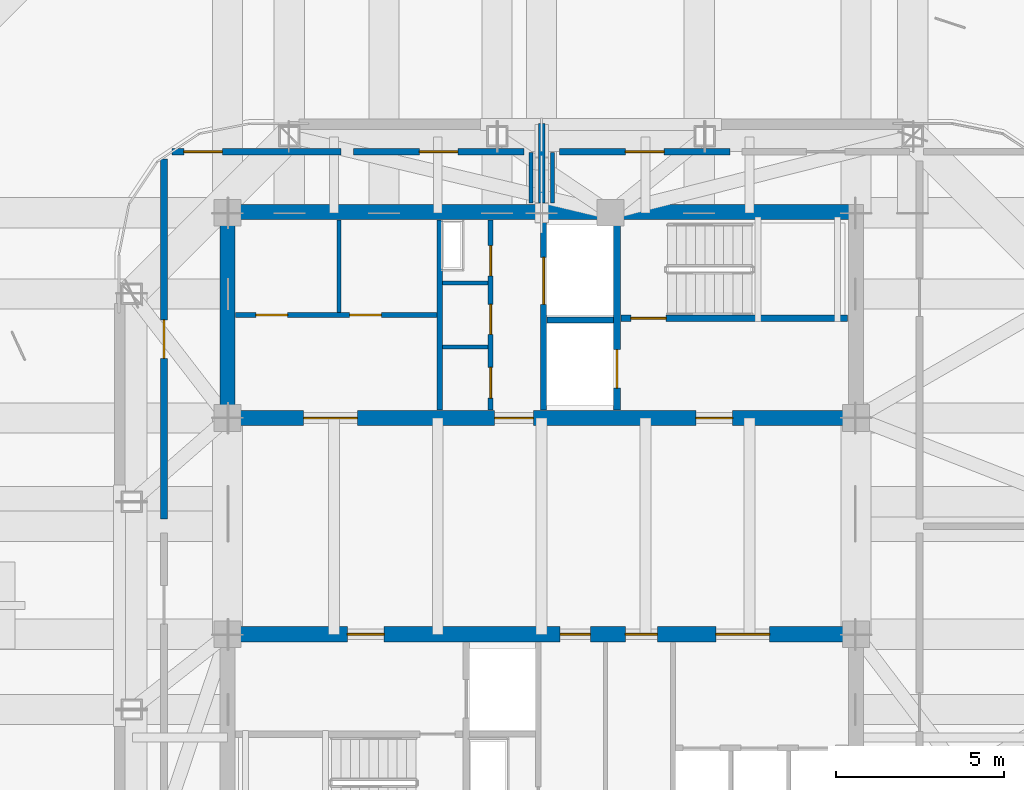
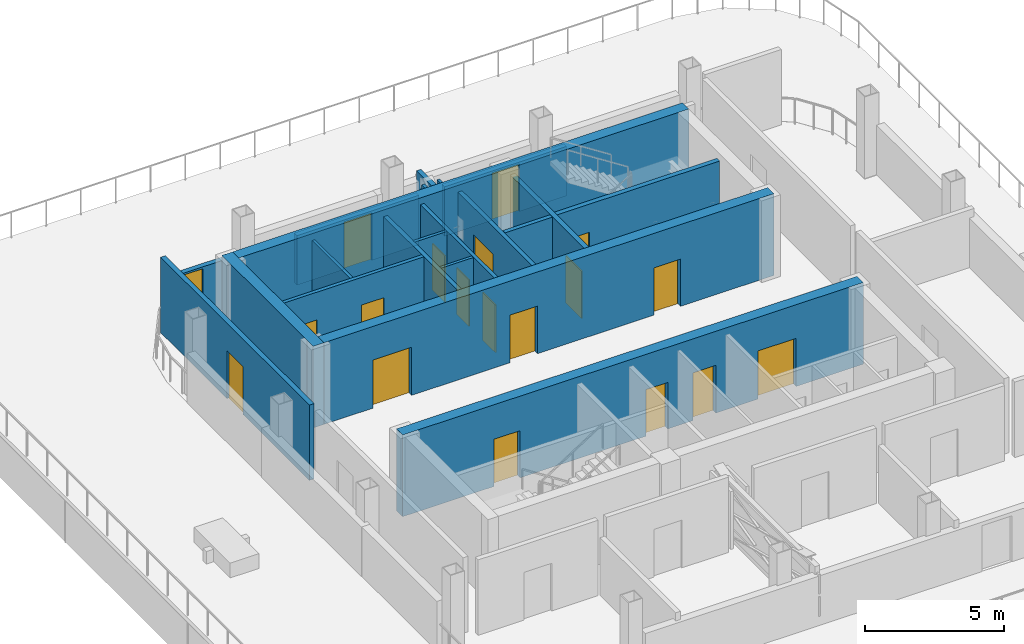
# One storey, part 5 of 10: 21 walls, 19 doors, 19 openings.
"""IFC4 building model written with IfcOpenShell, lengths in metres."""

from ifc_helpers import new_model, si_unit, direction, frame, frame_2d, origin, place, context, subcontext, project, spatial, rectangle, extrude, material, layer, layer_set, type_object, element, fill, save


model = new_model("IFC4")

# Units and contexts
model_context = context("Model", 3, precision=1e-05, world=origin(), true_north=direction((0.0, 1.0)))
body_context = subcontext(model_context, "Body", "Model", "MODEL_VIEW")
ifc_project = project(units=[si_unit("LENGTHUNIT", "METRE"), si_unit("AREAUNIT", "SQUARE_METRE"), si_unit("VOLUMEUNIT", "CUBIC_METRE"), si_unit("PLANEANGLEUNIT", "RADIAN"), si_unit("MASSUNIT", "GRAM", prefix="KILO")], contexts=[model_context])

# Site, building, storey
site_placement = place(None, origin())
site = spatial("IfcSite", under=ifc_project, at=site_placement, CompositionType="ELEMENT")
building_placement = place(site_placement, origin())
building = spatial("IfcBuilding", under=site, at=building_placement, Name="Qhalaya Broadcast Tower", CompositionType="ELEMENT")
storey_placement = place(building_placement, frame((0.0, 0.0, 231.300048828125)))
storey = spatial("IfcBuildingStorey", under=building, at=storey_placement, Name="L68", CompositionType="ELEMENT", Elevation=231.300048828125)

# Wall, openings, doors
ifc_material_1 = material(Name="Gypsum Acoustic Partition")
ifc_layer_1 = layer(ifc_material_1, 0.14990234375, Name="Gypsum Acoustic Partition")
ifc_layer_set_1 = layer_set([ifc_layer_1], Name="Gypsum Acoustic Partition")
wall_type_1 = type_object("IfcWallType", Name="Corridor & Tenancy Acoustic Partition 150", PredefinedType="PARTITIONING", material=ifc_layer_set_1)
wall_1_placement = place(storey_placement, frame((-1.52001953125, 4.070068359375, 0.0), z_axis=(0.0, 0.0, 1.0), x_axis=(0.0, 1.0, 0.0)))
wall_1 = element("IfcWall", 1, at=wall_1_placement, inside=storey, type_object=wall_type_1, Name="L68 Partition Wall NCW-SVL", PredefinedType="PARTITIONING", context=body_context, shape_type="SweptSolid", body=[
    extrude(rectangle(XDim=5.659912109375, YDim=0.14990234375, at=frame_2d((2.830078125, 0.0))), origin(), (0.0, 0.0, 1.0), 3.320068359375),
])
opening_1_placement = place(wall_1_placement, frame((4.0, 0.0, 0.0)))
opening_1 = element("IfcOpeningElement", 2, at=opening_1_placement, cuts=wall_1, Name="Opening D06", PredefinedType="OPENING", context=body_context, shape_type="SweptSolid", body=[
    extrude(rectangle(XDim=0.89990234375, YDim=2.050048828125, at=frame_2d((0.449951171875, 1.02490234375))), frame((0.0, 0.0869140625, 0.0), z_axis=(0.0, -1.0, 0.0), x_axis=(1.0, 0.0, 0.0)), (0.0, 0.0, 1.0), 0.173828125),
])
opening_2_placement = place(wall_1_placement, frame((2.25, 0.0, 0.0)))
opening_2 = element("IfcOpeningElement", 3, at=opening_2_placement, cuts=wall_1, Name="Opening D06", PredefinedType="OPENING", context=body_context, shape_type="SweptSolid", body=[
    extrude(rectangle(XDim=0.89990234375, YDim=2.050048828125, at=frame_2d((0.449951171875, 1.02490234375))), frame((0.0, 0.0869140625, 0.0), z_axis=(0.0, -1.0, 0.0), x_axis=(1.0, 0.0, 0.0)), (0.0, 0.0, 1.0), 0.173828125),
])
opening_3_placement = place(wall_1_placement, frame((0.35009765625, 0.0, 0.0)))
opening_3 = element("IfcOpeningElement", 4, at=opening_3_placement, cuts=wall_1, Name="Opening D12", PredefinedType="OPENING", context=body_context, shape_type="SweptSolid", body=[
    extrude(rectangle(XDim=0.919921875, YDim=2.10009765625, at=frame_2d((0.4599609375, 1.050048828125))), frame((0.0, 0.0869140625, 0.0), z_axis=(0.0, -1.0, 0.0), x_axis=(1.0, 0.0, 0.0)), (0.0, 0.0, 1.0), 0.173828125),
])
ifc_material_2 = material(Name="Timber Veneer Acoustic Door", Category="wood")
door_type_1 = type_object("IfcDoorType", Name="Accessible WC & Restroom Door D12", OperationType="NOTDEFINED", PredefinedType="DOOR", material=ifc_material_2)
door_1_placement = place(opening_3_placement, origin())
door_1 = element("IfcDoor", 5, at=door_1_placement, inside=storey, type_object=door_type_1, Name="L68 Door D-NCWC", OperationType="SINGLE_SWING_RIGHT", OverallHeight=2.10009765625, OverallWidth=0.919921875, PredefinedType="DOOR", context=body_context, shape_type="SweptSolid", body=[
    extrude(rectangle(XDim=0.919921875, YDim=2.10009765625, at=frame_2d((0.4599609375, 1.050048828125))), frame((0.0, 0.02490234375, 0.0), z_axis=(0.0, -1.0, 0.0), x_axis=(1.0, 0.0, 0.0)), (0.0, 0.0, 1.0), 0.050048828125),
])
fill(opening_3, door_1)
ifc_material_3 = material(Name="Fire-Rated Steel Door", Category="steel")
door_type_2 = type_object("IfcDoorType", Name="Riser & Electrical Shaft Access Door D06", OperationType="NOTDEFINED", PredefinedType="DOOR", material=ifc_material_3)
door_2_placement = place(opening_1_placement, origin())
door_2 = element("IfcDoor", 6, at=door_2_placement, inside=storey, type_object=door_type_2, Name="L68 Riser Shaft Access Door D-NRSR", OperationType="SINGLE_SWING_RIGHT", OverallHeight=2.050048828125, OverallWidth=0.89990234375, PredefinedType="DOOR", context=body_context, shape_type="SweptSolid", body=[
    extrude(rectangle(XDim=0.89990234375, YDim=2.050048828125, at=frame_2d((0.449951171875, 1.02490234375))), frame((0.0, 0.02490234375, 0.0), z_axis=(0.0, -1.0, 0.0), x_axis=(1.0, 0.0, 0.0)), (0.0, 0.0, 1.0), 0.050048828125),
])
fill(opening_1, door_2)
door_3_placement = place(opening_2_placement, origin())
door_3 = element("IfcDoor", 7, at=door_3_placement, inside=storey, type_object=door_type_2, Name="L68 Door D-NITR", OperationType="SINGLE_SWING_LEFT", OverallHeight=2.050048828125, OverallWidth=0.89990234375, PredefinedType="DOOR", context=body_context, shape_type="SweptSolid", body=[
    extrude(rectangle(XDim=0.89990234375, YDim=2.050048828125, at=frame_2d((0.449951171875, 1.02490234375))), frame((0.0, 0.02490234375, 0.0), z_axis=(0.0, -1.0, 0.0), x_axis=(1.0, 0.0, 0.0)), (0.0, 0.0, 1.0), 0.050048828125),
])
fill(opening_2, door_3)

wall_2_placement = place(storey_placement, frame((-9.1298828125, 6.89990234375, 0.0), z_axis=(0.0, 0.0, 1.0), x_axis=(1.0, 0.0, 0.0)))
wall_2 = element("IfcWall", 8, at=wall_2_placement, inside=storey, type_object=wall_type_1, Name="L68 Partition Wall NCW-REC1", PredefinedType="PARTITIONING", context=body_context, shape_type="SweptSolid", body=[
    extrude(rectangle(XDim=6.009765625, YDim=0.14990234375, at=frame_2d((3.0048828125, 0.0))), origin(), (0.0, 0.0, 1.0), 3.320068359375),
])
opening_4_placement = place(wall_2_placement, frame((0.60009765625, 0.0, 0.0)))
opening_4 = element("IfcOpeningElement", 9, at=opening_4_placement, cuts=wall_2, Name="Opening D10", PredefinedType="OPENING", context=body_context, shape_type="SweptSolid", body=[
    extrude(rectangle(XDim=0.949951171875, YDim=2.10009765625, at=frame_2d((0.47509765625, 1.050048828125))), frame((0.0, 0.0869140625, 0.0), z_axis=(0.0, -1.0, 0.0), x_axis=(1.0, 0.0, 0.0)), (0.0, 0.0, 1.0), 0.173828125),
])
opening_5_placement = place(wall_2_placement, frame((3.39990234375, 0.0, 0.0)))
opening_5 = element("IfcOpeningElement", 10, at=opening_5_placement, cuts=wall_2, Name="Opening D10", PredefinedType="OPENING", context=body_context, shape_type="SweptSolid", body=[
    extrude(rectangle(XDim=0.949951171875, YDim=2.10009765625, at=frame_2d((0.47509765625, 1.050048828125))), frame((0.0, 0.0869140625, 0.0), z_axis=(0.0, -1.0, 0.0), x_axis=(1.0, 0.0, 0.0)), (0.0, 0.0, 1.0), 0.173828125),
])
door_type_3 = type_object("IfcDoorType", Name="Cellular Office & Edit Booth Door D10", OperationType="NOTDEFINED", PredefinedType="DOOR", material=ifc_material_2)
door_4_placement = place(opening_4_placement, origin())
door_4 = element("IfcDoor", 11, at=door_4_placement, inside=storey, type_object=door_type_3, Name="L68 Door D-NREC1", OperationType="SINGLE_SWING_LEFT", OverallHeight=2.10009765625, OverallWidth=0.949951171875, PredefinedType="DOOR", context=body_context, shape_type="SweptSolid", body=[
    extrude(rectangle(XDim=0.949951171875, YDim=2.10009765625, at=frame_2d((0.47509765625, 1.050048828125))), frame((0.0, 0.02490234375, 0.0), z_axis=(0.0, -1.0, 0.0), x_axis=(1.0, 0.0, 0.0)), (0.0, 0.0, 1.0), 0.050048828125),
])
fill(opening_4, door_4)
door_5_placement = place(opening_5_placement, origin())
door_5 = element("IfcDoor", 12, at=door_5_placement, inside=storey, type_object=door_type_3, Name="L68 Door D-NREC2", OperationType="SINGLE_SWING_RIGHT", OverallHeight=2.10009765625, OverallWidth=0.949951171875, PredefinedType="DOOR", context=body_context, shape_type="SweptSolid", body=[
    extrude(rectangle(XDim=0.949951171875, YDim=2.10009765625, at=frame_2d((0.47509765625, 1.050048828125))), frame((0.0, 0.02490234375, 0.0), z_axis=(0.0, -1.0, 0.0), x_axis=(1.0, 0.0, 0.0)), (0.0, 0.0, 1.0), 0.050048828125),
])
fill(opening_5, door_5)

# Wall
ifc_layer_2 = layer(ifc_material_1, 0.199951171875, Name="Gypsum Acoustic Partition")
ifc_layer_set_2 = layer_set([ifc_layer_2], Name="Gypsum Acoustic Partition")
wall_type_2 = type_object("IfcWallType", Name="Firefighting Lobby & Stair Enclosure Wall 200", PredefinedType="PARTITIONING", material=ifc_layer_set_2)
wall_3_placement = place(storey_placement, frame((0.0, 10.239990234375, 0.0), z_axis=(0.0, 0.0, 1.0), x_axis=(0.0, 1.0, 0.0)))
element("IfcWall", 13, at=wall_3_placement, inside=storey, type_object=wall_type_2, Name="L68 Partition Wall W-OBN", PredefinedType="PARTITIONING", context=body_context, shape_type="SweptSolid", body=[
    extrude(rectangle(XDim=2.3701171875, YDim=0.199951171875, at=frame_2d((1.18505859375, 0.0))), origin(), (0.0, 0.0, 1.0), 2.537841796875),
])

# Wall, opening, door
wall_4_placement = place(storey_placement, frame((-5.97998046875, 11.77001953125, 0.0), z_axis=(0.0, 0.0, 1.0), x_axis=(-1.0, 0.0, 0.0)))
wall_4 = element("IfcWall", 14, at=wall_4_placement, inside=storey, type_object=wall_type_2, Name="L68 Partition Wall W-PCN0", PredefinedType="PARTITIONING", context=body_context, shape_type="SweptSolid", body=[
    extrude(rectangle(XDim=5.045654296875, YDim=0.199951171875, at=frame_2d((2.52294921875, 0.0))), origin(), (0.0, 0.0, 1.0), 2.181884765625),
])
opening_6_placement = place(wall_4_placement, frame((3.5458984375, 0.0, 0.0)))
opening_6 = element("IfcOpeningElement", 15, at=opening_6_placement, cuts=wall_4, Name="Opening D05", PredefinedType="OPENING", context=body_context, shape_type="SweptSolid", body=[
    extrude(rectangle(XDim=1.14990234375, YDim=2.10009765625, at=frame_2d((0.574951171875, 1.050048828125))), frame((0.0, 0.112060546875, 0.0), z_axis=(0.0, -1.0, 0.0), x_axis=(1.0, 0.0, 0.0)), (0.0, 0.0, 1.0), 0.223876953125),
])
door_type_4 = type_object("IfcDoorType", Name="Refuge & Plant Room Fire Door D05", OperationType="NOTDEFINED", PredefinedType="DOOR", material=ifc_material_3)
door_6_placement = place(opening_6_placement, origin())
door_6 = element("IfcDoor", 16, at=door_6_placement, inside=storey, type_object=door_type_4, Name="L68 Door D-PCN0", OperationType="SINGLE_SWING_LEFT", OverallHeight=2.10009765625, OverallWidth=1.14990234375, PredefinedType="DOOR", context=body_context, shape_type="SweptSolid", body=[
    extrude(rectangle(XDim=1.14990234375, YDim=2.10009765625, at=frame_2d((0.574951171875, 1.050048828125))), frame((0.0, 0.02490234375, 0.0), z_axis=(0.0, -1.0, 0.0), x_axis=(1.0, 0.0, 0.0)), (0.0, 0.0, 1.0), 0.050048828125),
])
fill(opening_6, door_6)

wall_5_placement = place(storey_placement, frame((-0.530029296875, 11.77001953125, 0.0), z_axis=(0.0, 0.0, 1.0), x_axis=(-1.0, 0.0, 0.0)))
wall_5 = element("IfcWall", 17, at=wall_5_placement, inside=storey, type_object=wall_type_2, Name="L68 Partition Wall W-PCN1", PredefinedType="PARTITIONING", context=body_context, shape_type="SweptSolid", body=[
    extrude(rectangle(XDim=5.090087890625, YDim=0.199951171875, at=frame_2d((2.544921875, 0.0))), origin(), (0.0, 0.0, 1.0), 2.181884765625),
])
opening_7_placement = place(wall_5_placement, frame((1.969970703125, 0.0, 0.0)))
opening_7 = element("IfcOpeningElement", 18, at=opening_7_placement, cuts=wall_5, Name="Opening D05", PredefinedType="OPENING", context=body_context, shape_type="SweptSolid", body=[
    extrude(rectangle(XDim=1.14990234375, YDim=2.10009765625, at=frame_2d((0.574951171875, 1.050048828125))), frame((0.0, 0.112060546875, 0.0), z_axis=(0.0, -1.0, 0.0), x_axis=(1.0, 0.0, 0.0)), (0.0, 0.0, 1.0), 0.223876953125),
])
door_7_placement = place(opening_7_placement, origin())
door_7 = element("IfcDoor", 19, at=door_7_placement, inside=storey, type_object=door_type_4, Name="L68 Door D-PCN1", OperationType="SINGLE_SWING_LEFT", OverallHeight=2.10009765625, OverallWidth=1.14990234375, PredefinedType="DOOR", context=body_context, shape_type="SweptSolid", body=[
    extrude(rectangle(XDim=1.14990234375, YDim=2.10009765625, at=frame_2d((0.574951171875, 1.050048828125))), frame((0.0, 0.02490234375, 0.0), z_axis=(0.0, -1.0, 0.0), x_axis=(1.0, 0.0, 0.0)), (0.0, 0.0, 1.0), 0.050048828125),
])
fill(opening_7, door_7)

wall_6_placement = place(storey_placement, frame((5.6201171875, 11.77001953125, 0.0), z_axis=(0.0, 0.0, 1.0), x_axis=(-1.0, 0.0, 0.0)))
wall_6 = element("IfcWall", 20, at=wall_6_placement, inside=storey, type_object=wall_type_2, Name="L68 Partition Wall W-PCN2", PredefinedType="PARTITIONING", context=body_context, shape_type="SweptSolid", body=[
    extrude(rectangle(XDim=5.090087890625, YDim=0.199951171875, at=frame_2d((2.544921875, 0.0))), origin(), (0.0, 0.0, 1.0), 2.181884765625),
])
opening_8_placement = place(wall_6_placement, frame((1.969970703125, 0.0, 0.0)))
opening_8 = element("IfcOpeningElement", 21, at=opening_8_placement, cuts=wall_6, Name="Opening D05", PredefinedType="OPENING", context=body_context, shape_type="SweptSolid", body=[
    extrude(rectangle(XDim=1.14990234375, YDim=2.10009765625, at=frame_2d((0.574951171875, 1.050048828125))), frame((0.0, 0.112060546875, 0.0), z_axis=(0.0, -1.0, 0.0), x_axis=(1.0, 0.0, 0.0)), (0.0, 0.0, 1.0), 0.223876953125),
])
door_8_placement = place(opening_8_placement, origin())
door_8 = element("IfcDoor", 22, at=door_8_placement, inside=storey, type_object=door_type_4, Name="L68 Door D-PCN2", OperationType="SINGLE_SWING_LEFT", OverallHeight=2.10009765625, OverallWidth=1.14990234375, PredefinedType="DOOR", context=body_context, shape_type="SweptSolid", body=[
    extrude(rectangle(XDim=1.14990234375, YDim=2.10009765625, at=frame_2d((0.574951171875, 1.050048828125))), frame((0.0, 0.02490234375, 0.0), z_axis=(0.0, -1.0, 0.0), x_axis=(1.0, 0.0, 0.0)), (0.0, 0.0, 1.0), 0.050048828125),
])
fill(opening_8, door_8)

wall_7_placement = place(storey_placement, frame((-11.27001953125, 11.550048828125, 0.0), z_axis=(0.0, 0.0, 1.0), x_axis=(0.0, -1.0, 0.0)))
wall_7 = element("IfcWall", 23, at=wall_7_placement, inside=storey, type_object=wall_type_2, Name="L68 Partition Wall W-PCW2", PredefinedType="PARTITIONING", context=body_context, shape_type="SweptSolid", body=[
    extrude(rectangle(XDim=10.739990234375, YDim=0.199951171875, at=frame_2d((5.3701171875, 0.0))), origin(), (0.0, 0.0, 1.0), 3.320068359375),
])
opening_9_placement = place(wall_7_placement, frame((4.794921875, 0.0, 0.0)))
opening_9 = element("IfcOpeningElement", 24, at=opening_9_placement, cuts=wall_7, Name="Opening D05", PredefinedType="OPENING", context=body_context, shape_type="SweptSolid", body=[
    extrude(rectangle(XDim=1.14990234375, YDim=2.10009765625, at=frame_2d((0.574951171875, 1.050048828125))), frame((0.0, 0.112060546875, 0.0), z_axis=(0.0, -1.0, 0.0), x_axis=(1.0, 0.0, 0.0)), (0.0, 0.0, 1.0), 0.223876953125),
])
door_9_placement = place(opening_9_placement, origin())
door_9 = element("IfcDoor", 25, at=door_9_placement, inside=storey, type_object=door_type_4, Name="L68 Door D-PCW2", OperationType="SINGLE_SWING_RIGHT", OverallHeight=2.10009765625, OverallWidth=1.14990234375, PredefinedType="DOOR", context=body_context, shape_type="SweptSolid", body=[
    extrude(rectangle(XDim=1.14990234375, YDim=2.10009765625, at=frame_2d((0.574951171875, 1.050048828125))), frame((0.0, 0.02490234375, 0.0), z_axis=(0.0, -1.0, 0.0), x_axis=(1.0, 0.0, 0.0)), (0.0, 0.0, 1.0), 0.050048828125),
])
fill(opening_9, door_9)

ifc_material_4 = material(Name="Concrete C50/60", Category="concrete")
ifc_layer_3 = layer(ifc_material_4, 0.199951171875, Name="Concrete C50/60")
ifc_layer_set_3 = layer_set([ifc_layer_3], Name="Concrete C50/60")
wall_type_3 = type_object("IfcWallType", Name="Load-Bearing Stair Shaft Wall 200", PredefinedType="SHEAR", material=ifc_layer_set_3)
wall_8_placement = place(storey_placement, frame((2.360107421875, 6.804931640625, 0.0), z_axis=(0.0, 0.0, 1.0), x_axis=(1.0, 0.0, 0.0)))
wall_8 = element("IfcWall", 26, at=wall_8_placement, inside=storey, type_object=wall_type_3, Name="L68 Stair Core Shear Wall NCW-ST1", PredefinedType="SHEAR", context=body_context, shape_type="SweptSolid", body=[
    extrude(rectangle(XDim=6.769775390625, YDim=0.199951171875, at=frame_2d((3.384765625, 0.0))), origin(), (0.0, 0.0, 1.0), 3.320068359375),
])
opening_10_placement = place(wall_8_placement, frame((0.300048828125, 0.0, 0.0)))
opening_10 = element("IfcOpeningElement", 27, at=opening_10_placement, cuts=wall_8, Name="Opening D03", PredefinedType="OPENING", context=body_context, shape_type="SweptSolid", body=[
    extrude(rectangle(XDim=1.050048828125, YDim=2.080078125, at=frame_2d((0.52490234375, 1.0400390625))), frame((0.0, 0.112060546875, 0.0), z_axis=(0.0, -1.0, 0.0), x_axis=(1.0, 0.0, 0.0)), (0.0, 0.0, 1.0), 0.223876953125),
])
door_type_5 = type_object("IfcDoorType", Name="Core Stair Protected Fire Door D03", OperationType="NOTDEFINED", PredefinedType="DOOR", material=ifc_material_3)
door_10_placement = place(opening_10_placement, origin())
door_10 = element("IfcDoor", 28, at=door_10_placement, inside=storey, type_object=door_type_5, Name="L68 Door D-NST1", OperationType="SINGLE_SWING_LEFT", OverallHeight=2.080078125, OverallWidth=1.050048828125, PredefinedType="DOOR", context=body_context, shape_type="SweptSolid", body=[
    extrude(rectangle(XDim=1.050048828125, YDim=2.080078125, at=frame_2d((0.52490234375, 1.0400390625))), frame((0.0, 0.02490234375, 0.0), z_axis=(0.0, -1.0, 0.0), x_axis=(1.0, 0.0, 0.0)), (0.0, 0.0, 1.0), 0.050048828125),
])
fill(opening_10, door_10)

wall_9_placement = place(storey_placement, frame((2.25, 4.070068359375, 0.0), z_axis=(0.0, 0.0, 1.0), x_axis=(0.0, 1.0, 0.0)))
wall_9 = element("IfcWall", 29, at=wall_9_placement, inside=storey, type_object=wall_type_3, Name="L68 Stair Core Shear Wall NCW-FF", PredefinedType="SHEAR", context=body_context, shape_type="SweptSolid", body=[
    extrude(rectangle(XDim=5.659912109375, YDim=0.199951171875, at=frame_2d((2.830078125, 0.0))), origin(), (0.0, 0.0, 1.0), 3.320068359375),
])
opening_11_placement = place(wall_9_placement, frame((0.64990234375, 0.0, 0.0)))
opening_11 = element("IfcOpeningElement", 30, at=opening_11_placement, cuts=wall_9, Name="Opening LD2", PredefinedType="OPENING", context=body_context, shape_type="SweptSolid", body=[
    extrude(rectangle(XDim=1.14990234375, YDim=2.080078125, at=frame_2d((0.574951171875, 1.0400390625))), frame((0.0, 0.112060546875, 0.0), z_axis=(0.0, -1.0, 0.0), x_axis=(1.0, 0.0, 0.0)), (0.0, 0.0, 1.0), 0.223876953125),
])
ifc_material_5 = material(Name="Brushed Stainless Steel Lift Door", Category="steel")
door_type_6 = type_object("IfcDoorType", Name="Firefighting Lift Sliding Landing Door LD2", OperationType="DOUBLE_DOOR_SLIDING", PredefinedType="DOOR", material=ifc_material_5)
door_11_placement = place(opening_11_placement, origin())
door_11 = element("IfcDoor", 31, at=door_11_placement, inside=storey, type_object=door_type_6, Name="L68 Door LD-FF1", OperationType="DOUBLE_DOOR_SLIDING", OverallHeight=2.080078125, OverallWidth=1.14990234375, PredefinedType="DOOR", context=body_context, shape_type="SweptSolid", body=[
    extrude(rectangle(XDim=1.14990234375, YDim=2.080078125, at=frame_2d((0.574951171875, 1.0400390625))), frame((0.0, 0.02490234375, 0.0), z_axis=(0.0, -1.0, 0.0), x_axis=(1.0, 0.0, 0.0)), (0.0, 0.0, 1.0), 0.050048828125),
])
fill(opening_11, door_11)

# Walls
ifc_layer_4 = layer(ifc_material_1, 0.1201171875, Name="Gypsum Acoustic Partition")
ifc_layer_set_4 = layer_set([ifc_layer_4], Name="Gypsum Acoustic Partition")
wall_type_4 = type_object("IfcWallType", Name="Office, Booth & Sanitary Partition 120", PredefinedType="PARTITIONING", material=ifc_layer_set_4)
for number, where, z_axis, x_axis, name in (
    (32, (-2.9599609375, 5.949951171875, 0.0), (0.0, 0.0, 1.0), (1.0, 0.0, 0.0), "L68 Partition Wall NCW-VB1"),
    (33, (-2.9599609375, 7.85009765625, 0.0), (0.0, 0.0, 1.0), (1.0, 0.0, 0.0), "L68 Partition Wall NCW-VB2"),
):
    element("IfcWall", number, at=place(storey_placement, frame(where, z_axis=z_axis, x_axis=x_axis)), inside=storey, type_object=wall_type_4, Name=name, PredefinedType="PARTITIONING", context=body_context, shape_type="SweptSolid", body=[
        extrude(rectangle(XDim=1.35986328125, YDim=0.1201171875, at=frame_2d((0.679931640625, 0.0))), origin(), (0.0, 0.0, 1.0), 3.320068359375),
    ])
wall_10_placement = place(storey_placement, frame((-6.050048828125, 6.97998046875, 0.0), z_axis=(0.0, 0.0, 1.0), x_axis=(0.0, 1.0, 0.0)))
element("IfcWall", 34, at=wall_10_placement, inside=storey, type_object=wall_type_4, Name="L68 Partition Wall NCW-REC2", PredefinedType="PARTITIONING", context=body_context, shape_type="SweptSolid", body=[
    extrude(rectangle(XDim=2.75, YDim=0.1201171875, at=frame_2d((1.375, 0.0))), origin(), (0.0, 0.0, 1.0), 3.320068359375),
])
for number, where, z_axis, x_axis, name in (
    (35, (-0.320068359375, 10.239990234375, 0.0), (0.0, 0.0, 1.0), (0.0, 1.0, 0.0), "L68 Partition Wall W-OBNCW"),
    (36, (0.320068359375, 10.239990234375, 0.0), (0.0, 0.0, 1.0), (0.0, 1.0, 0.0), "L68 Partition Wall W-OBNCE"),
):
    element("IfcWall", number, at=place(storey_placement, frame(where, z_axis=z_axis, x_axis=x_axis)), inside=storey, type_object=wall_type_4, Name=name, PredefinedType="PARTITIONING", context=body_context, shape_type="SweptSolid", body=[
        extrude(rectangle(XDim=1.510009765625, YDim=0.1201171875, at=frame_2d((0.7548828125, 0.0))), origin(), (0.0, 0.0, 1.0), 2.537841796875),
    ])

# Wall, opening, door
ifc_layer_5 = layer(ifc_material_1, 0.175048828125, Name="Gypsum Acoustic Partition")
ifc_layer_set_5 = layer_set([ifc_layer_5], Name="Gypsum Acoustic Partition")
wall_type_5 = type_object("IfcWallType", Name="Shaft & Riser Fire Partition 175", PredefinedType="PARTITIONING", material=ifc_layer_set_5)
wall_11_placement = place(storey_placement, frame((0.06005859375, 4.070068359375, 0.0), z_axis=(0.0, 0.0, 1.0), x_axis=(0.0, 1.0, 0.0)))
wall_11 = element("IfcWall", 37, at=wall_11_placement, inside=storey, type_object=wall_type_5, Name="L68 Partition Wall NCW-SVW", PredefinedType="PARTITIONING", context=body_context, shape_type="SweptSolid", body=[
    extrude(rectangle(XDim=5.659912109375, YDim=0.175048828125, at=frame_2d((2.830078125, 0.0))), origin(), (0.0, 0.0, 1.0), 3.320068359375),
])
opening_12_placement = place(wall_11_placement, frame((3.14990234375, 0.0, 0.0)))
opening_12 = element("IfcOpeningElement", 38, at=opening_12_placement, cuts=wall_11, Name="Opening LD3", PredefinedType="OPENING", context=body_context, shape_type="SweptSolid", body=[
    extrude(rectangle(XDim=1.39990234375, YDim=2.1201171875, at=frame_2d((0.699951171875, 1.06005859375))), frame((0.0, 0.099609375, 0.0), z_axis=(0.0, -1.0, 0.0), x_axis=(1.0, 0.0, 0.0)), (0.0, 0.0, 1.0), 0.198974609375),
])
door_type_7 = type_object("IfcDoorType", Name="Service Lift Wide Sliding Landing Door LD3", OperationType="DOUBLE_DOOR_SLIDING", PredefinedType="DOOR", material=ifc_material_5)
door_12_placement = place(opening_12_placement, origin())
door_12 = element("IfcDoor", 39, at=door_12_placement, inside=storey, type_object=door_type_7, Name="L68 Door LD-SV1", OperationType="DOUBLE_DOOR_SLIDING", OverallHeight=2.1201171875, OverallWidth=1.39990234375, PredefinedType="DOOR", context=body_context, shape_type="SweptSolid", body=[
    extrude(rectangle(XDim=1.39990234375, YDim=2.1201171875, at=frame_2d((0.699951171875, 1.06005859375))), frame((0.0, 0.02490234375, 0.0), z_axis=(0.0, -1.0, 0.0), x_axis=(1.0, 0.0, 0.0)), (0.0, 0.0, 1.0), 0.050048828125),
])
fill(opening_12, door_12)

# Walls
wall_12_placement = place(storey_placement, frame((0.159912109375, 6.75, 0.0), z_axis=(0.0, 0.0, 1.0), x_axis=(1.0, 0.0, 0.0)))
element("IfcWall", 40, at=wall_12_placement, inside=storey, type_object=wall_type_5, Name="L68 Partition Wall NCW-SVM", PredefinedType="PARTITIONING", context=body_context, shape_type="SweptSolid", body=[
    extrude(rectangle(XDim=1.97998046875, YDim=0.175048828125, at=frame_2d((0.989990234375, 0.0))), origin(), (0.0, 0.0, 1.0), 3.320068359375),
])
wall_13_placement = place(storey_placement, frame((-3.0400390625, 4.070068359375, 0.0), z_axis=(0.0, 0.0, 1.0), x_axis=(0.0, 1.0, 0.0)))
element("IfcWall", 41, at=wall_13_placement, inside=storey, type_object=wall_type_5, Name="L68 Partition Wall NCW-VRW", PredefinedType="PARTITIONING", context=body_context, shape_type="SweptSolid", body=[
    extrude(rectangle(XDim=5.659912109375, YDim=0.175048828125, at=frame_2d((2.830078125, 0.0))), origin(), (0.0, 0.0, 1.0), 3.320068359375),
])
ifc_layer_6 = layer(ifc_material_4, 0.449951171875, Name="Concrete C50/60")
ifc_layer_set_6 = layer_set([ifc_layer_6], Name="Concrete C50/60")
wall_type_6 = type_object("IfcWallType", Name="Upper Split-Core Shear Wall 450", PredefinedType="SHEAR", material=ifc_layer_set_6)
wall_14_placement = place(storey_placement, frame((-9.60009765625, 9.97509765625, 0.0), z_axis=(0.0, 0.0, 1.0), x_axis=(1.0, 0.0, 0.0)))
element("IfcWall", 42, at=wall_14_placement, inside=storey, type_object=wall_type_6, Name="L68 Split-Core Shear Wall CW-NN", PredefinedType="SHEAR", context=body_context, shape_type="SweptSolid", body=[
    extrude(rectangle(XDim=19.2001953125, YDim=0.449951171875, at=frame_2d((9.60009765625, 0.0))), origin(), (0.0, 0.0, 1.0), 3.599853515625),
])

# Wall, openings, doors
wall_15_placement = place(storey_placement, frame((-9.60009765625, 3.824951171875, 0.0), z_axis=(0.0, 0.0, 1.0), x_axis=(1.0, 0.0, 0.0)))
wall_15 = element("IfcWall", 43, at=wall_15_placement, inside=storey, type_object=wall_type_6, Name="L68 Split-Core Shear Wall CW-NS", PredefinedType="SHEAR", context=body_context, shape_type="SweptSolid", body=[
    extrude(rectangle(XDim=19.2001953125, YDim=0.449951171875, at=frame_2d((9.60009765625, 0.0))), origin(), (0.0, 0.0, 1.0), 3.599853515625),
])
opening_13_placement = place(wall_15_placement, frame((14.199951171875, 0.0, 0.0)))
opening_13 = element("IfcOpeningElement", 44, at=opening_13_placement, cuts=wall_15, Name="Opening D04", PredefinedType="OPENING", context=body_context, shape_type="SweptSolid", body=[
    extrude(rectangle(XDim=1.10009765625, YDim=2.080078125, at=frame_2d((0.550048828125, 1.0400390625))), frame((0.0, 0.237060546875, 0.0), z_axis=(0.0, -1.0, 0.0), x_axis=(1.0, 0.0, 0.0)), (0.0, 0.0, 1.0), 0.473876953125),
])
opening_14_placement = place(wall_15_placement, frame((8.199951171875, 0.0, 0.0)))
opening_14 = element("IfcOpeningElement", 45, at=opening_14_placement, cuts=wall_15, Name="Opening D05", PredefinedType="OPENING", context=body_context, shape_type="SweptSolid", body=[
    extrude(rectangle(XDim=1.14990234375, YDim=2.10009765625, at=frame_2d((0.574951171875, 1.050048828125))), frame((0.0, 0.237060546875, 0.0), z_axis=(0.0, -1.0, 0.0), x_axis=(1.0, 0.0, 0.0)), (0.0, 0.0, 1.0), 0.473876953125),
])
opening_15_placement = place(wall_15_placement, frame((2.5, 0.0, 0.0)))
opening_15 = element("IfcOpeningElement", 46, at=opening_15_placement, cuts=wall_15, Name="Opening D07", PredefinedType="OPENING", context=body_context, shape_type="SweptSolid", body=[
    extrude(rectangle(XDim=1.60009765625, YDim=2.1201171875, at=frame_2d((0.800048828125, 1.06005859375))), frame((0.0, 0.237060546875, 0.0), z_axis=(0.0, -1.0, 0.0), x_axis=(1.0, 0.0, 0.0)), (0.0, 0.0, 1.0), 0.473876953125),
])
door_type_8 = type_object("IfcDoorType", Name="Firefighting Lobby Rated Door D04", OperationType="NOTDEFINED", PredefinedType="DOOR", material=ifc_material_3)
door_13_placement = place(opening_13_placement, origin())
door_13 = element("IfcDoor", 47, at=door_13_placement, inside=storey, type_object=door_type_8, Name="L68 Door D-NFF", OperationType="SINGLE_SWING_RIGHT", OverallHeight=2.080078125, OverallWidth=1.10009765625, PredefinedType="DOOR", context=body_context, shape_type="SweptSolid", body=[
    extrude(rectangle(XDim=1.10009765625, YDim=2.080078125, at=frame_2d((0.550048828125, 1.0400390625))), frame((0.0, 0.02490234375, 0.0), z_axis=(0.0, -1.0, 0.0), x_axis=(1.0, 0.0, 0.0)), (0.0, 0.0, 1.0), 0.050048828125),
])
fill(opening_13, door_13)
ifc_material_6 = material(Name="Anodised Aluminium Glazed Door", Category="aluminium")
door_type_9 = type_object("IfcDoorType", Name="Passenger Lift Lobby Double Glazed Door D07", OperationType="DOUBLE_DOOR_SINGLE_SWING", PredefinedType="DOOR", material=ifc_material_6)
door_14_placement = place(opening_15_placement, origin())
door_14 = element("IfcDoor", 48, at=door_14_placement, inside=storey, type_object=door_type_9, Name="L68 Door D-NRECV", OperationType="DOUBLE_DOOR_SINGLE_SWING", OverallHeight=2.1201171875, OverallWidth=1.60009765625, PredefinedType="DOOR", context=body_context, shape_type="SweptSolid", body=[
    extrude(rectangle(XDim=1.60009765625, YDim=2.1201171875, at=frame_2d((0.800048828125, 1.06005859375))), frame((0.0, 0.02490234375, 0.0), z_axis=(0.0, -1.0, 0.0), x_axis=(1.0, 0.0, 0.0)), (0.0, 0.0, 1.0), 0.050048828125),
])
fill(opening_15, door_14)
door_15_placement = place(opening_14_placement, origin())
door_15 = element("IfcDoor", 49, at=door_15_placement, inside=storey, type_object=door_type_4, Name="L68 Door D-NSVL", OperationType="SINGLE_SWING_LEFT", OverallHeight=2.10009765625, OverallWidth=1.14990234375, PredefinedType="DOOR", context=body_context, shape_type="SweptSolid", body=[
    extrude(rectangle(XDim=1.14990234375, YDim=2.10009765625, at=frame_2d((0.574951171875, 1.050048828125))), frame((0.0, 0.02490234375, 0.0), z_axis=(0.0, -1.0, 0.0), x_axis=(1.0, 0.0, 0.0)), (0.0, 0.0, 1.0), 0.050048828125),
])
fill(opening_14, door_15)

# Wall
wall_16_placement = place(storey_placement, frame((-9.375, 3.60009765625, 0.0), z_axis=(0.0, 0.0, 1.0), x_axis=(0.0, 1.0, 0.0)))
element("IfcWall", 50, at=wall_16_placement, inside=storey, type_object=wall_type_6, Name="L68 Split-Core Shear Wall CW-NW", PredefinedType="SHEAR", context=body_context, shape_type="SweptSolid", body=[
    extrude(rectangle(XDim=6.599853515625, YDim=0.449951171875, at=frame_2d((3.2998046875, 0.0))), origin(), (0.0, 0.0, 1.0), 3.599853515625),
])

# Wall, openings, doors
wall_17_placement = place(storey_placement, frame((-9.60009765625, -2.625, 0.0), z_axis=(0.0, 0.0, 1.0), x_axis=(1.0, 0.0, 0.0)))
wall_17 = element("IfcWall", 51, at=wall_17_placement, inside=storey, type_object=wall_type_6, Name="L68 Split-Core Shear Wall CW-SN", PredefinedType="SHEAR", context=body_context, shape_type="SweptSolid", body=[
    extrude(rectangle(XDim=19.2001953125, YDim=0.449951171875, at=frame_2d((9.60009765625, 0.0))), origin(), (0.0, 0.0, 1.0), 3.599853515625),
])
opening_16_placement = place(wall_17_placement, frame((3.800048828125, 0.0, 0.0)))
opening_16 = element("IfcOpeningElement", 52, at=opening_16_placement, cuts=wall_17, Name="Opening D04", PredefinedType="OPENING", context=body_context, shape_type="SweptSolid", body=[
    extrude(rectangle(XDim=1.10009765625, YDim=2.080078125, at=frame_2d((0.550048828125, 1.0400390625))), frame((0.0, 0.237060546875, 0.0), z_axis=(0.0, -1.0, 0.0), x_axis=(1.0, 0.0, 0.0)), (0.0, 0.0, 1.0), 0.473876953125),
])
opening_17_placement = place(wall_17_placement, frame((10.14990234375, 0.0, 0.0)))
opening_17 = element("IfcOpeningElement", 53, at=opening_17_placement, cuts=wall_17, Name="Opening D06", PredefinedType="OPENING", context=body_context, shape_type="SweptSolid", body=[
    extrude(rectangle(XDim=0.89990234375, YDim=2.050048828125, at=frame_2d((0.449951171875, 1.02490234375))), frame((0.0, 0.237060546875, 0.0), z_axis=(0.0, -1.0, 0.0), x_axis=(1.0, 0.0, 0.0)), (0.0, 0.0, 1.0), 0.473876953125),
])
opening_18_placement = place(wall_17_placement, frame((12.10009765625, 0.0, 0.0)))
opening_18 = element("IfcOpeningElement", 54, at=opening_18_placement, cuts=wall_17, Name="Opening D10", PredefinedType="OPENING", context=body_context, shape_type="SweptSolid", body=[
    extrude(rectangle(XDim=0.949951171875, YDim=2.10009765625, at=frame_2d((0.47509765625, 1.050048828125))), frame((0.0, 0.237060546875, 0.0), z_axis=(0.0, -1.0, 0.0), x_axis=(1.0, 0.0, 0.0)), (0.0, 0.0, 1.0), 0.473876953125),
])
opening_19_placement = place(wall_17_placement, frame((14.800048828125, 0.0, 0.0)))
opening_19 = element("IfcOpeningElement", 55, at=opening_19_placement, cuts=wall_17, Name="Opening D07", PredefinedType="OPENING", context=body_context, shape_type="SweptSolid", body=[
    extrude(rectangle(XDim=1.60009765625, YDim=2.1201171875, at=frame_2d((0.800048828125, 1.06005859375))), frame((0.0, 0.237060546875, 0.0), z_axis=(0.0, -1.0, 0.0), x_axis=(1.0, 0.0, 0.0)), (0.0, 0.0, 1.0), 0.473876953125),
])
door_16_placement = place(opening_18_placement, origin())
door_16 = element("IfcDoor", 56, at=door_16_placement, inside=storey, type_object=door_type_3, Name="L68 Door D-SREC2", OperationType="SINGLE_SWING_RIGHT", OverallHeight=2.10009765625, OverallWidth=0.949951171875, PredefinedType="DOOR", context=body_context, shape_type="SweptSolid", body=[
    extrude(rectangle(XDim=0.949951171875, YDim=2.10009765625, at=frame_2d((0.47509765625, 1.050048828125))), frame((0.0, 0.02490234375, 0.0), z_axis=(0.0, -1.0, 0.0), x_axis=(1.0, 0.0, 0.0)), (0.0, 0.0, 1.0), 0.050048828125),
])
fill(opening_18, door_16)
door_17_placement = place(opening_16_placement, origin())
door_17 = element("IfcDoor", 57, at=door_17_placement, inside=storey, type_object=door_type_8, Name="L68 Door D-SFF", OperationType="SINGLE_SWING_LEFT", OverallHeight=2.080078125, OverallWidth=1.10009765625, PredefinedType="DOOR", context=body_context, shape_type="SweptSolid", body=[
    extrude(rectangle(XDim=1.10009765625, YDim=2.080078125, at=frame_2d((0.550048828125, 1.0400390625))), frame((0.0, 0.02490234375, 0.0), z_axis=(0.0, -1.0, 0.0), x_axis=(1.0, 0.0, 0.0)), (0.0, 0.0, 1.0), 0.050048828125),
])
fill(opening_16, door_17)
door_18_placement = place(opening_19_placement, origin())
door_18 = element("IfcDoor", 58, at=door_18_placement, inside=storey, type_object=door_type_9, Name="L68 Door D-SPLL", OperationType="DOUBLE_DOOR_SINGLE_SWING", OverallHeight=2.1201171875, OverallWidth=1.60009765625, PredefinedType="DOOR", context=body_context, shape_type="SweptSolid", body=[
    extrude(rectangle(XDim=1.60009765625, YDim=2.1201171875, at=frame_2d((0.800048828125, 1.06005859375))), frame((0.0, 0.02490234375, 0.0), z_axis=(0.0, -1.0, 0.0), x_axis=(1.0, 0.0, 0.0)), (0.0, 0.0, 1.0), 0.050048828125),
])
fill(opening_19, door_18)
door_19_placement = place(opening_17_placement, origin())
door_19 = element("IfcDoor", 59, at=door_19_placement, inside=storey, type_object=door_type_2, Name="L68 Door D-SREC1", OperationType="SINGLE_SWING_LEFT", OverallHeight=2.050048828125, OverallWidth=0.89990234375, PredefinedType="DOOR", context=body_context, shape_type="SweptSolid", body=[
    extrude(rectangle(XDim=0.89990234375, YDim=2.050048828125, at=frame_2d((0.449951171875, 1.02490234375))), frame((0.0, 0.02490234375, 0.0), z_axis=(0.0, -1.0, 0.0), x_axis=(1.0, 0.0, 0.0)), (0.0, 0.0, 1.0), 0.050048828125),
])
fill(opening_17, door_19)

save(model, "model.ifc")
